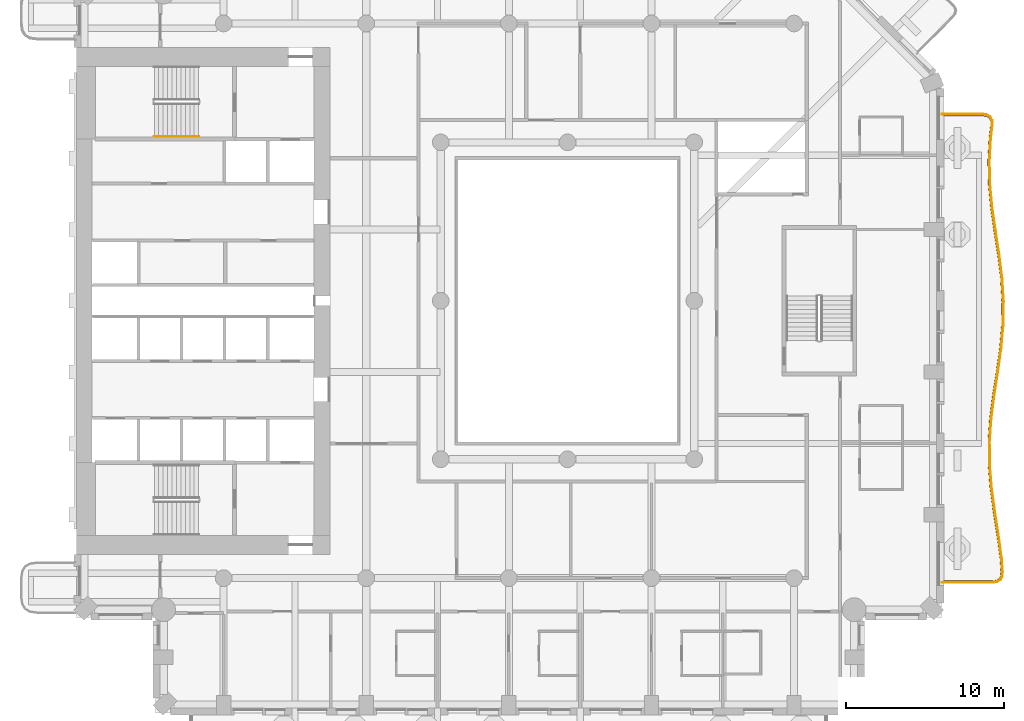
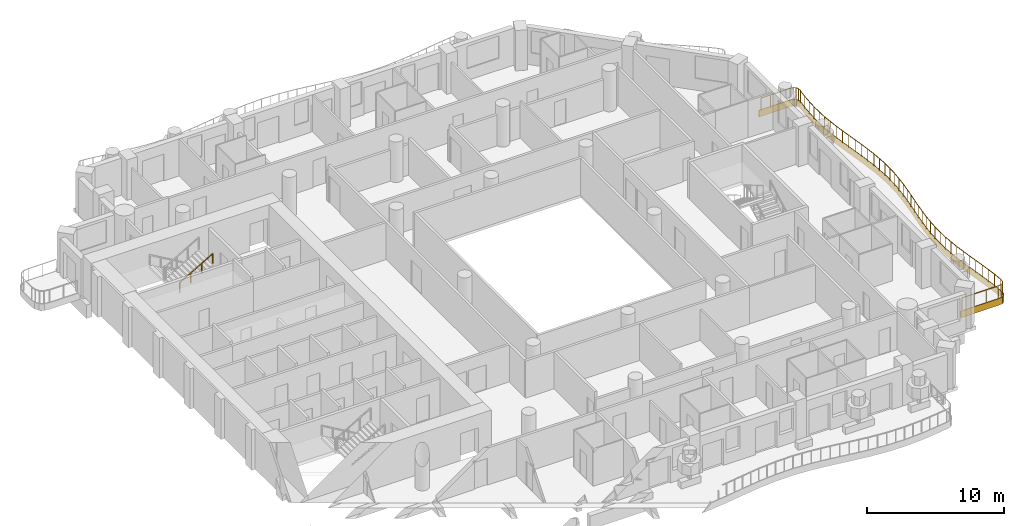
# One storey, part 15 of 19: 2 railings, 1 covering.
"""IFC4 building model written with IfcOpenShell, lengths in metres."""

from ifc_helpers import new_model, si_unit, direction, frame, origin, origin_2d, place, context, subcontext, project, spatial, polyline, rectangle, outline, extrude, material, layer, layer_set, type_object, element, save


model = new_model("IFC4")

# Units and contexts
model_context = context("Model", 3, precision=1e-05, world=origin(), true_north=direction((0.0, 1.0)))
body_context = subcontext(model_context, "Body", "Model", "MODEL_VIEW")
ifc_project = project(units=[si_unit("LENGTHUNIT", "METRE"), si_unit("AREAUNIT", "SQUARE_METRE"), si_unit("VOLUMEUNIT", "CUBIC_METRE"), si_unit("PLANEANGLEUNIT", "RADIAN"), si_unit("MASSUNIT", "GRAM", prefix="KILO")], contexts=[model_context])

# Site, building, storey
site_placement = place(None, origin())
site = spatial("IfcSite", under=ifc_project, at=site_placement, CompositionType="ELEMENT")
building_placement = place(site_placement, origin())
building = spatial("IfcBuilding", under=site, at=building_placement, Name="Cypress Arch Tower", CompositionType="ELEMENT")
storey_placement = place(building_placement, frame((0.0, 0.0, 141.89990234375)))
storey = spatial("IfcBuildingStorey", under=building, at=storey_placement, Name="L31", CompositionType="ELEMENT", Elevation=141.89990234375)

# Covering
ifc_material_1 = material(Name="White powder-coated aluminium fascia", Category="aluminium")
ifc_layer = layer(ifc_material_1, 0.050048828125)
ifc_layer_set = layer_set([ifc_layer], Name="Balcony fascia BF50")
covering_type = type_object("IfcCoveringType", Name="Balcony fascia BF50", PredefinedType="CLADDING", material=ifc_layer_set)
covering_placement = place(storey_placement, frame((0.0, 0.0, -0.599853515625)))
element("IfcCovering", 1, at=covering_placement, inside=storey, type_object=covering_type, Name="Balcony fascia L31-A06", PredefinedType="CLADDING", context=body_context, shape_type="SweptSolid", body=[
    extrude(outline(polyline([(27.19482421875, 11.800048828125), (27.496826171875, 11.75634765625), (27.711669921875, 11.61865234375), (27.8232421875, 11.388671875), (27.83056640625, 11.083984375), (27.7333984375, 10.270751953125), (27.652587890625, 8.79931640625), (27.687255859375, 7.327880859375), (27.828857421875, 5.85595703125), (28.040771484375, 4.38232421875), (28.26806640625, 2.906982421875), (28.451904296875, 1.4296875), (28.54443359375, -0.048828125), (28.521484375, -1.527587890625), (28.388916015625, -3.005615234375), (28.181396484375, -4.482421875), (27.952880859375, -5.95703125), (27.7626953125, -7.429931640625), (27.659912109375, -8.901611328125), (27.6708984375, -10.372802734375), (27.792724609375, -11.844482421875), (27.994384765625, -13.31787109375), (28.2236328125, -14.79296875), (28.420654296875, -16.269775390625), (28.483642578125, -17.0859375), (28.46337890625, -17.390380859375), (28.343505859375, -17.619140625), (28.12451171875, -17.756591796875), (27.822509765625, -17.800048828125), (24.60107421875, -17.800048828125), (24.60107421875, -17.75), (27.81884765625, -17.75), (28.10693359375, -17.70849609375), (28.305419921875, -17.583984375), (28.414306640625, -17.376708984375), (28.43359375, -17.086181640625), (28.370849609375, -16.27490234375), (28.174072265625, -14.800048828125), (27.945068359375, -13.324951171875), (27.7431640625, -11.85009765625), (27.620849609375, -10.375), (27.60986328125, -8.89990234375), (27.712890625, -7.425048828125), (27.903564453125, -5.949951171875), (28.132080078125, -4.47509765625), (28.33935546875, -3.0), (28.471435546875, -1.52490234375), (28.494384765625, -0.050048828125), (28.402099609375, 1.425048828125), (28.218505859375, 2.89990234375), (27.9912109375, 4.375), (27.779296875, 5.85009765625), (27.63720703125, 7.324951171875), (27.6025390625, 8.800048828125), (27.68359375, 10.27490234375), (27.780517578125, 11.086181640625), (27.7734375, 11.376708984375), (27.6728515625, 11.583984375), (27.478759765625, 11.70849609375), (27.19140625, 11.75), (24.60107421875, 11.75), (24.60107421875, 11.800048828125), (27.19482421875, 11.800048828125)])), origin(), (0.0, 0.0, 1.0), 0.599853515625),
])

# Railings
ifc_material_2 = material(Name="Powder-coated steel posts and rods, 100 mm clear between rods", Category="steel")
railing_type_1 = type_object("IfcRailingType", Name="Balcony guard GR1100", PredefinedType="GUARDRAIL", material=ifc_material_2)
railing_1_placement = place(storey_placement, frame((24.75, 11.699951171875, 0.0)))
element("IfcRailing", 2, at=railing_1_placement, inside=storey, type_object=railing_type_1, Name="Balcony guard L31-A06", PredefinedType="GUARDRAIL", context=body_context, shape_type="SweptSolid", body=[
    extrude(rectangle(XDim=0.050048828125, YDim=0.050048828125, at=origin_2d()), frame((0.0, 0.0, 1.0751953125), z_axis=(1.0, 0.0, 0.0), x_axis=(0.0, 1.0, 0.0)), (0.0, 0.0, 1.0), 2.437744140625),
    extrude(rectangle(XDim=0.050048828125, YDim=0.050048828125, at=origin_2d()), frame((2.437744140625, 0.0, 1.0751953125), z_axis=(0.989807470513, -0.142411977437, 0.0), x_axis=(0.142411977437, 0.989807470513, 0.0)), (0.0, 0.0, 1.0), 0.276123046875),
    extrude(rectangle(XDim=0.050048828125, YDim=0.050048828125, at=origin_2d()), frame((2.7109375, -0.039306640625, 1.0751953125), z_axis=(0.841602460972, -0.540097489058, 0.0), x_axis=(0.540097489058, 0.841602460972, 0.0)), (0.0, 0.0, 1.0), 0.20556640625),
    extrude(rectangle(XDim=0.050048828125, YDim=0.050048828125, at=origin_2d()), frame((2.884033203125, -0.150390625, 1.0751953125), z_axis=(0.435778172756, -0.900054100679, 0.0), x_axis=(0.900054100679, 0.435778172756, 0.0)), (0.0, 0.0, 1.0), 0.20556640625),
    extrude(rectangle(XDim=0.050048828125, YDim=0.050048828125, at=origin_2d()), frame((2.9736328125, -0.33544921875, 1.0751953125), z_axis=(0.024771157644, -0.999693147795, 0.0), x_axis=(0.999693147795, 0.024771157644, 0.0)), (0.0, 0.0, 1.0), 0.27587890625),
    extrude(rectangle(XDim=0.050048828125, YDim=0.050048828125, at=origin_2d()), frame((2.98046875, -0.611328125, 1.0751953125), z_axis=(-0.118613703942, -0.99294047618, 0.0), x_axis=(0.99294047618, -0.118613703942, 0.0)), (0.0, 0.0, 1.0), 0.815185546875),
    extrude(rectangle(XDim=0.050048828125, YDim=0.050048828125, at=origin_2d()), frame((2.8837890625, -1.420654296875, 1.0751953125), z_axis=(-0.054903850418, -0.998491646039, 0.0), x_axis=(0.998491646039, -0.054903850418, 0.0)), (0.0, 0.0, 1.0), 1.480712890625),
    extrude(rectangle(XDim=0.050048828125, YDim=0.050048828125, at=origin_2d()), frame((2.802490234375, -2.899169921875, 1.0751953125), z_axis=(0.023602470443, -0.999721422892, 0.0), x_axis=(0.999721422892, 0.023602470443, 0.0)), (0.0, 0.0, 1.0), 1.479248046875),
    extrude(rectangle(XDim=0.050048828125, YDim=0.050048828125, at=origin_2d()), frame((2.83740234375, -4.3779296875, 1.0751953125), z_axis=(0.095693608655, -0.99541083642, 0.0), x_axis=(0.99541083642, 0.095693608655, 0.0)), (0.0, 0.0, 1.0), 1.48486328125),
    extrude(rectangle(XDim=0.050048828125, YDim=0.050048828125, at=origin_2d()), frame((2.9794921875, -5.85595703125, 1.0751953125), z_axis=(0.142406674893, -0.98980823342, 0.0), x_axis=(0.98980823342, 0.142406674893, 0.0)), (0.0, 0.0, 1.0), 1.491455078125),
    extrude(rectangle(XDim=0.050048828125, YDim=0.050048828125, at=origin_2d()), frame((3.19189453125, -7.332275390625, 1.0751953125), z_axis=(0.152180145467, -0.988352772711, 0.0), x_axis=(0.988352772711, 0.152180145467, 0.0)), (0.0, 0.0, 1.0), 1.491943359375),
    extrude(rectangle(XDim=0.050048828125, YDim=0.050048828125, at=origin_2d()), frame((3.4189453125, -8.806884765625, 1.0751953125), z_axis=(0.12354877554, -0.992338500746, 0.0), x_axis=(0.992338500746, 0.12354877554, 0.0)), (0.0, 0.0, 1.0), 1.484130859375),
    extrude(rectangle(XDim=0.050048828125, YDim=0.050048828125, at=origin_2d()), frame((3.602294921875, -10.279541015625, 1.0751953125), z_axis=(0.062419517295, -0.998050000682, 0.0), x_axis=(0.998050000682, 0.062419517295, 0.0)), (0.0, 0.0, 1.0), 1.474609375),
    extrude(rectangle(XDim=0.050048828125, YDim=0.050048828125, at=origin_2d()), frame((3.6943359375, -11.751220703125, 1.0751953125), z_axis=(-0.015431285521, -0.999880930625, 0.0), x_axis=(0.999880930625, -0.015431285521, 0.0)), (0.0, 0.0, 1.0), 1.471435546875),
    extrude(rectangle(XDim=0.050048828125, YDim=0.050048828125, at=origin_2d()), frame((3.671630859375, -13.222412109375, 1.0751953125), z_axis=(-0.089373859467, -0.995998149217, 0.0), x_axis=(0.995998149217, -0.089373859467, 0.0)), (0.0, 0.0, 1.0), 1.477783203125),
    extrude(rectangle(XDim=0.050048828125, YDim=0.050048828125, at=origin_2d()), frame((3.53955078125, -14.6943359375, 1.0751953125), z_axis=(-0.139146721761, -0.990271775738, 0.0), x_axis=(0.990271775738, -0.139146721761, 0.0)), (0.0, 0.0, 1.0), 1.48779296875),
    extrude(rectangle(XDim=0.050048828125, YDim=0.050048828125, at=origin_2d()), frame((3.33251953125, -16.167724609375, 1.0751953125), z_axis=(-0.153089496752, -0.988212328391, 0.0), x_axis=(0.988212328391, -0.153089496752, 0.0)), (0.0, 0.0, 1.0), 1.49267578125),
    extrude(rectangle(XDim=0.050048828125, YDim=0.050048828125, at=origin_2d()), frame((3.10400390625, -17.642822265625, 1.0751953125), z_axis=(-0.128168953231, -0.991752347831, 0.0), x_axis=(0.991752347831, -0.128168953231, 0.0)), (0.0, 0.0, 1.0), 1.489501953125),
    extrude(rectangle(XDim=0.050048828125, YDim=0.050048828125, at=origin_2d()), frame((2.9130859375, -19.1201171875, 1.0751953125), z_axis=(-0.069689771314, -0.997568712307, 0.0), x_axis=(0.997568712307, -0.069689771314, 0.0)), (0.0, 0.0, 1.0), 1.48193359375),
    extrude(rectangle(XDim=0.050048828125, YDim=0.050048828125, at=origin_2d()), frame((2.809814453125, -20.598388671875, 1.0751953125), z_axis=(0.007429215475, -0.999972402998, 0.0), x_axis=(0.999972402998, 0.007429215475, 0.0)), (0.0, 0.0, 1.0), 1.478759765625),
    extrude(rectangle(XDim=0.050048828125, YDim=0.050048828125, at=origin_2d()), frame((2.82080078125, -22.0771484375, 1.0751953125), z_axis=(0.082623218828, -0.996580856584, 0.0), x_axis=(0.996580856584, 0.082623218828, 0.0)), (0.0, 0.0, 1.0), 1.4833984375),
    extrude(rectangle(XDim=0.050048828125, YDim=0.050048828125, at=origin_2d()), frame((2.943359375, -23.555419921875, 1.0751953125), z_axis=(0.135617511988, -0.990761268138, 0.0), x_axis=(0.990761268138, 0.135617511988, 0.0)), (0.0, 0.0, 1.0), 1.490478515625),
    extrude(rectangle(XDim=0.050048828125, YDim=0.050048828125, at=origin_2d()), frame((3.1455078125, -25.0322265625, 1.0751953125), z_axis=(0.153433717504, -0.988158941837, 0.0), x_axis=(0.988158941837, 0.153433717504, 0.0)), (0.0, 0.0, 1.0), 1.492431640625),
    extrude(rectangle(XDim=0.050048828125, YDim=0.050048828125, at=origin_2d()), frame((3.37451171875, -26.507080078125, 1.0751953125), z_axis=(0.132400435165, -0.991196309904, 0.0), x_axis=(0.991196309904, 0.132400435165, 0.0)), (0.0, 0.0, 1.0), 1.486328125),
    extrude(rectangle(XDim=0.050048828125, YDim=0.050048828125, at=origin_2d()), frame((3.5712890625, -27.980224609375, 1.0751953125), z_axis=(0.076696498885, -0.997054485502, 0.0), x_axis=(0.997054485502, 0.076696498885, 0.0)), (0.0, 0.0, 1.0), 0.80859375),
    extrude(rectangle(XDim=0.050048828125, YDim=0.050048828125, at=origin_2d()), frame((3.63330078125, -28.786376953125, 1.0751953125), z_axis=(-0.066109477186, -0.997812375663, 0.0), x_axis=(0.997812375663, -0.066109477186, 0.0)), (0.0, 0.0, 1.0), 0.27685546875),
    extrude(rectangle(XDim=0.050048828125, YDim=0.050048828125, at=origin_2d()), frame((3.614990234375, -29.062744140625, 1.0751953125), z_axis=(-0.464788353215, -0.885421812875, 0.0), x_axis=(0.885421812875, -0.464788353215, 0.0)), (0.0, 0.0, 1.0), 0.210205078125),
    extrude(rectangle(XDim=0.050048828125, YDim=0.050048828125, at=origin_2d()), frame((3.517333984375, -29.248779296875, 1.0751953125), z_axis=(-0.846756147172, -0.531981228265, 0.0), x_axis=(0.531981228265, -0.846756147172, 0.0)), (0.0, 0.0, 1.0), 0.210205078125),
    extrude(rectangle(XDim=0.050048828125, YDim=0.050048828125, at=origin_2d()), frame((3.33935546875, -29.360595703125, 1.0751953125), z_axis=(-0.989861078122, -0.142038889107, 0.0), x_axis=(0.142038889107, -0.989861078122, 0.0)), (0.0, 0.0, 1.0), 0.276611328125),
    extrude(rectangle(XDim=0.050048828125, YDim=0.050048828125, at=origin_2d()), frame((3.0654296875, -29.39990234375, 1.0751953125), z_axis=(-1.0, 0.0, 0.0), x_axis=(0.0, -1.0, 0.0)), (0.0, 0.0, 1.0), 3.0654296875),
    extrude(rectangle(XDim=0.0400390625, YDim=0.0400390625, at=origin_2d()), origin(), (0.0, 0.0, 1.0), 1.050048828125),
    extrude(rectangle(XDim=0.0400390625, YDim=0.0400390625, at=origin_2d()), frame((0.8125, 0.0, 0.0)), (0.0, 0.0, 1.0), 1.050048828125),
    extrude(rectangle(XDim=0.0400390625, YDim=0.0400390625, at=origin_2d()), frame((1.625244140625, 0.0, 0.0)), (0.0, 0.0, 1.0), 1.050048828125),
    extrude(rectangle(XDim=0.0400390625, YDim=0.0400390625, at=origin_2d()), frame((2.437744140625, 0.0, 0.0)), (0.0, 0.0, 1.0), 1.050048828125),
    extrude(rectangle(XDim=0.0400390625, YDim=0.0400390625, at=origin_2d()), frame((2.7109375, -0.039306640625, 0.0)), (0.0, 0.0, 1.0), 1.050048828125),
    extrude(rectangle(XDim=0.0400390625, YDim=0.0400390625, at=origin_2d()), frame((2.884033203125, -0.150390625, 0.0)), (0.0, 0.0, 1.0), 1.050048828125),
    extrude(rectangle(XDim=0.0400390625, YDim=0.0400390625, at=origin_2d()), frame((2.9736328125, -0.33544921875, 0.0)), (0.0, 0.0, 1.0), 1.050048828125),
    extrude(rectangle(XDim=0.0400390625, YDim=0.0400390625, at=origin_2d()), frame((2.98046875, -0.611328125, 0.0)), (0.0, 0.0, 1.0), 1.050048828125),
    extrude(rectangle(XDim=0.0400390625, YDim=0.0400390625, at=origin_2d()), frame((2.8837890625, -1.420654296875, 0.0)), (0.0, 0.0, 1.0), 1.050048828125),
    extrude(rectangle(XDim=0.0400390625, YDim=0.0400390625, at=origin_2d()), frame((2.84326171875, -2.159912109375, 0.0)), (0.0, 0.0, 1.0), 1.050048828125),
    extrude(rectangle(XDim=0.0400390625, YDim=0.0400390625, at=origin_2d()), frame((2.802490234375, -2.899169921875, 0.0)), (0.0, 0.0, 1.0), 1.050048828125),
    extrude(rectangle(XDim=0.0400390625, YDim=0.0400390625, at=origin_2d()), frame((2.81982421875, -3.638671875, 0.0)), (0.0, 0.0, 1.0), 1.050048828125),
    extrude(rectangle(XDim=0.0400390625, YDim=0.0400390625, at=origin_2d()), frame((2.83740234375, -4.3779296875, 0.0)), (0.0, 0.0, 1.0), 1.050048828125),
    extrude(rectangle(XDim=0.0400390625, YDim=0.0400390625, at=origin_2d()), frame((2.908447265625, -5.116943359375, 0.0)), (0.0, 0.0, 1.0), 1.050048828125),
    extrude(rectangle(XDim=0.0400390625, YDim=0.0400390625, at=origin_2d()), frame((2.9794921875, -5.85595703125, 0.0)), (0.0, 0.0, 1.0), 1.050048828125),
    extrude(rectangle(XDim=0.0400390625, YDim=0.0400390625, at=origin_2d()), frame((3.085693359375, -6.59423828125, 0.0)), (0.0, 0.0, 1.0), 1.050048828125),
    extrude(rectangle(XDim=0.0400390625, YDim=0.0400390625, at=origin_2d()), frame((3.19189453125, -7.332275390625, 0.0)), (0.0, 0.0, 1.0), 1.050048828125),
    extrude(rectangle(XDim=0.0400390625, YDim=0.0400390625, at=origin_2d()), frame((3.305419921875, -8.069580078125, 0.0)), (0.0, 0.0, 1.0), 1.050048828125),
    extrude(rectangle(XDim=0.0400390625, YDim=0.0400390625, at=origin_2d()), frame((3.4189453125, -8.806884765625, 0.0)), (0.0, 0.0, 1.0), 1.050048828125),
    extrude(rectangle(XDim=0.0400390625, YDim=0.0400390625, at=origin_2d()), frame((3.5107421875, -9.543212890625, 0.0)), (0.0, 0.0, 1.0), 1.050048828125),
    extrude(rectangle(XDim=0.0400390625, YDim=0.0400390625, at=origin_2d()), frame((3.602294921875, -10.279541015625, 0.0)), (0.0, 0.0, 1.0), 1.050048828125),
    extrude(rectangle(XDim=0.0400390625, YDim=0.0400390625, at=origin_2d()), frame((3.6484375, -11.015380859375, 0.0)), (0.0, 0.0, 1.0), 1.050048828125),
    extrude(rectangle(XDim=0.0400390625, YDim=0.0400390625, at=origin_2d()), frame((3.6943359375, -11.751220703125, 0.0)), (0.0, 0.0, 1.0), 1.050048828125),
    extrude(rectangle(XDim=0.0400390625, YDim=0.0400390625, at=origin_2d()), frame((3.68310546875, -12.48681640625, 0.0)), (0.0, 0.0, 1.0), 1.050048828125),
    extrude(rectangle(XDim=0.0400390625, YDim=0.0400390625, at=origin_2d()), frame((3.671630859375, -13.222412109375, 0.0)), (0.0, 0.0, 1.0), 1.050048828125),
    extrude(rectangle(XDim=0.0400390625, YDim=0.0400390625, at=origin_2d()), frame((3.60546875, -13.95849609375, 0.0)), (0.0, 0.0, 1.0), 1.050048828125),
    extrude(rectangle(XDim=0.0400390625, YDim=0.0400390625, at=origin_2d()), frame((3.53955078125, -14.6943359375, 0.0)), (0.0, 0.0, 1.0), 1.050048828125),
    extrude(rectangle(XDim=0.0400390625, YDim=0.0400390625, at=origin_2d()), frame((3.43603515625, -15.43115234375, 0.0)), (0.0, 0.0, 1.0), 1.050048828125),
    extrude(rectangle(XDim=0.0400390625, YDim=0.0400390625, at=origin_2d()), frame((3.33251953125, -16.167724609375, 0.0)), (0.0, 0.0, 1.0), 1.050048828125),
    extrude(rectangle(XDim=0.0400390625, YDim=0.0400390625, at=origin_2d()), frame((3.21826171875, -16.9052734375, 0.0)), (0.0, 0.0, 1.0), 1.050048828125),
    extrude(rectangle(XDim=0.0400390625, YDim=0.0400390625, at=origin_2d()), frame((3.10400390625, -17.642822265625, 0.0)), (0.0, 0.0, 1.0), 1.050048828125),
    extrude(rectangle(XDim=0.0400390625, YDim=0.0400390625, at=origin_2d()), frame((3.008544921875, -18.38134765625, 0.0)), (0.0, 0.0, 1.0), 1.050048828125),
    extrude(rectangle(XDim=0.0400390625, YDim=0.0400390625, at=origin_2d()), frame((2.9130859375, -19.1201171875, 0.0)), (0.0, 0.0, 1.0), 1.050048828125),
    extrude(rectangle(XDim=0.0400390625, YDim=0.0400390625, at=origin_2d()), frame((2.861328125, -19.859375, 0.0)), (0.0, 0.0, 1.0), 1.050048828125),
    extrude(rectangle(XDim=0.0400390625, YDim=0.0400390625, at=origin_2d()), frame((2.809814453125, -20.598388671875, 0.0)), (0.0, 0.0, 1.0), 1.050048828125),
    extrude(rectangle(XDim=0.0400390625, YDim=0.0400390625, at=origin_2d()), frame((2.8154296875, -21.337890625, 0.0)), (0.0, 0.0, 1.0), 1.050048828125),
    extrude(rectangle(XDim=0.0400390625, YDim=0.0400390625, at=origin_2d()), frame((2.82080078125, -22.0771484375, 0.0)), (0.0, 0.0, 1.0), 1.050048828125),
    extrude(rectangle(XDim=0.0400390625, YDim=0.0400390625, at=origin_2d()), frame((2.882080078125, -22.81640625, 0.0)), (0.0, 0.0, 1.0), 1.050048828125),
    extrude(rectangle(XDim=0.0400390625, YDim=0.0400390625, at=origin_2d()), frame((2.943359375, -23.555419921875, 0.0)), (0.0, 0.0, 1.0), 1.050048828125),
    extrude(rectangle(XDim=0.0400390625, YDim=0.0400390625, at=origin_2d()), frame((3.04443359375, -24.2939453125, 0.0)), (0.0, 0.0, 1.0), 1.050048828125),
    extrude(rectangle(XDim=0.0400390625, YDim=0.0400390625, at=origin_2d()), frame((3.1455078125, -25.0322265625, 0.0)), (0.0, 0.0, 1.0), 1.050048828125),
    extrude(rectangle(XDim=0.0400390625, YDim=0.0400390625, at=origin_2d()), frame((3.260009765625, -25.76953125, 0.0)), (0.0, 0.0, 1.0), 1.050048828125),
    extrude(rectangle(XDim=0.0400390625, YDim=0.0400390625, at=origin_2d()), frame((3.37451171875, -26.507080078125, 0.0)), (0.0, 0.0, 1.0), 1.050048828125),
    extrude(rectangle(XDim=0.0400390625, YDim=0.0400390625, at=origin_2d()), frame((3.472900390625, -27.24365234375, 0.0)), (0.0, 0.0, 1.0), 1.050048828125),
    extrude(rectangle(XDim=0.0400390625, YDim=0.0400390625, at=origin_2d()), frame((3.5712890625, -27.980224609375, 0.0)), (0.0, 0.0, 1.0), 1.050048828125),
    extrude(rectangle(XDim=0.0400390625, YDim=0.0400390625, at=origin_2d()), frame((3.63330078125, -28.786376953125, 0.0)), (0.0, 0.0, 1.0), 1.050048828125),
    extrude(rectangle(XDim=0.0400390625, YDim=0.0400390625, at=origin_2d()), frame((3.614990234375, -29.062744140625, 0.0)), (0.0, 0.0, 1.0), 1.050048828125),
    extrude(rectangle(XDim=0.0400390625, YDim=0.0400390625, at=origin_2d()), frame((3.517333984375, -29.248779296875, 0.0)), (0.0, 0.0, 1.0), 1.050048828125),
    extrude(rectangle(XDim=0.0400390625, YDim=0.0400390625, at=origin_2d()), frame((3.33935546875, -29.360595703125, 0.0)), (0.0, 0.0, 1.0), 1.050048828125),
    extrude(rectangle(XDim=0.0400390625, YDim=0.0400390625, at=origin_2d()), frame((3.0654296875, -29.39990234375, 0.0)), (0.0, 0.0, 1.0), 1.050048828125),
    extrude(rectangle(XDim=0.0400390625, YDim=0.0400390625, at=origin_2d()), frame((2.043701171875, -29.39990234375, 0.0)), (0.0, 0.0, 1.0), 1.050048828125),
    extrude(rectangle(XDim=0.0400390625, YDim=0.0400390625, at=origin_2d()), frame((1.021728515625, -29.39990234375, 0.0)), (0.0, 0.0, 1.0), 1.050048828125),
    extrude(rectangle(XDim=0.0400390625, YDim=0.0400390625, at=origin_2d()), frame((0.0, -29.39990234375, 0.0)), (0.0, 0.0, 1.0), 1.050048828125),
])
ifc_material_3 = material(Name="Black powder-coated steel square bar 48 mm", Category="steel")
railing_type_2 = type_object("IfcRailingType", Name="Stair handrail HR1", PredefinedType="HANDRAIL", material=ifc_material_3)
railing_2_placement = place(storey_placement, frame((-25.074951171875, 10.375, 1.963623046875)))
element("IfcRailing", 3, at=railing_2_placement, inside=storey, type_object=railing_type_2, Name="L31 B stair handrail 2", PredefinedType="HANDRAIL", context=body_context, shape_type="SweptSolid", body=[
    extrude(rectangle(XDim=0.048095703125, YDim=0.048095703125, at=origin_2d()), frame((0.0, 0.0, 0.8759765625), z_axis=(0.863360870873, 0.0, 0.504586966384), x_axis=(0.0, 1.0, 0.0)), (0.0, 0.0, 1.0), 3.2431640625),
    extrude(rectangle(XDim=0.0419921875, YDim=0.0419921875, at=origin_2d()), origin(), (0.0, 0.0, 1.0), 0.851806640625),
    extrude(rectangle(XDim=0.0419921875, YDim=0.0419921875, at=origin_2d()), frame((0.933349609375, 0.0, 0.54541015625)), (0.0, 0.0, 1.0), 0.851806640625),
    extrude(rectangle(XDim=0.0419921875, YDim=0.0419921875, at=origin_2d()), frame((1.86669921875, 0.0, 1.091064453125)), (0.0, 0.0, 1.0), 0.851806640625),
    extrude(rectangle(XDim=0.0419921875, YDim=0.0419921875, at=origin_2d()), frame((2.800048828125, 0.0, 1.636474609375)), (0.0, 0.0, 1.0), 0.851806640625),
])

save(model, "model.ifc")
